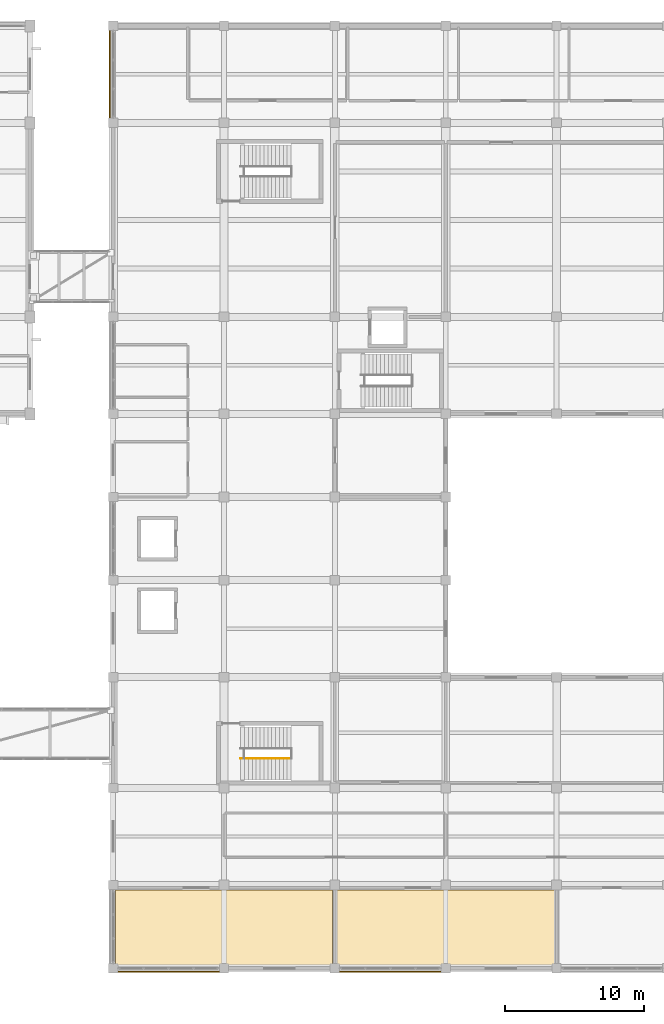
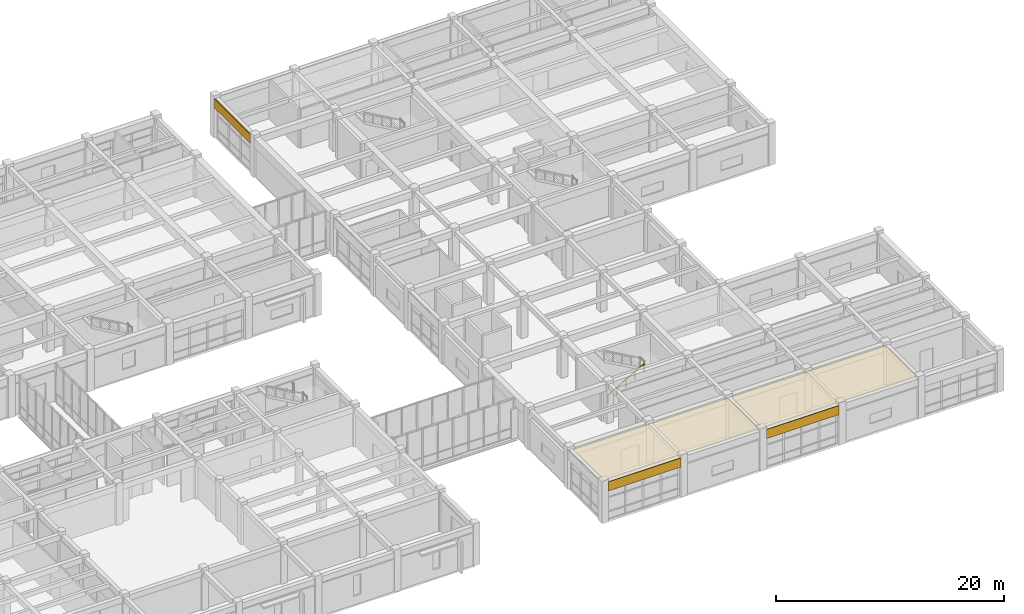
# One storey, part 70 of 72: 5 coverings, 1 railing.
"""IFC4 building model written with IfcOpenShell, lengths in metres."""

import ifcopenshell
import ifcopenshell.guid

model = None  # the IFC model being written
_history = None  # IfcOwnerHistory: only IFC2X3 demands one
_inside = {}  # id of a spatial element -> (the spatial element, [elements in it])
_under = {}  # id of a project, library or spatial element -> (it, [spatial elements below it])
_declared = {}  # id of a project -> (the project, [libraries it declares])
_typed = {}  # id of a type object -> (the type object, [elements of that type])
_made_of = {}  # id of a material, layer set ... -> (it, [elements and type objects made of it])


def new_model(schema):
    """Start an empty IFC model of exactly this schema.

    Asked for "IFC4X3", IfcOpenShell would pick the latest addendum, in which some entities
    have other attributes; the version numbers below select the first issue.
    IFC2X3 requires an IfcOwnerHistory on every rooted entity: one is made here for all.
    """
    global model, _history
    if schema == "IFC4X3":
        model = ifcopenshell.file(schema_version=(4, 3, 0, 0))
    else:
        model = ifcopenshell.file(schema=schema)
    _inside.clear()
    _under.clear()
    _declared.clear()
    _typed.clear()
    _made_of.clear()
    _history = None
    if model.schema == "IFC2X3":
        org = make("IfcOrganization", Name="unknown")
        user = make(
            "IfcPersonAndOrganization",
            ThePerson=make("IfcPerson", FamilyName="unknown"),
            TheOrganization=org,
        )
        app = make(
            "IfcApplication",
            ApplicationDeveloper=org,
            Version="unknown",
            ApplicationFullName="unknown",
            ApplicationIdentifier="unknown",
        )
        _history = make(
            "IfcOwnerHistory",
            OwningUser=user,
            OwningApplication=app,
            ChangeAction="ADDED",
            CreationDate=0,
        )
    return model


def make(cls, **values):
    """One entity of the class cls with the attributes given. An attribute that is None is left unset."""
    return model.create_entity(
        cls, **{name: value for name, value in values.items() if value is not None}
    )


def rooted(cls, **values):
    """An entity with a GlobalId (a new one), such as an element, a storey or a relation."""
    return make(cls, GlobalId=ifcopenshell.guid.new(), OwnerHistory=_history, **values)


def si_unit(unit_type, name, prefix=None):
    """IfcSIUnit, for example si_unit("LENGTHUNIT", "METRE", prefix="MILLI")."""
    return make("IfcSIUnit", UnitType=unit_type, Prefix=prefix, Name=name)


def assignment(units):
    """IfcUnitAssignment: the units of a project."""
    return None if units is None else make("IfcUnitAssignment", Units=units)


def point(xyz):
    """IfcCartesianPoint."""
    return None if xyz is None else make("IfcCartesianPoint", Coordinates=xyz)


def direction(xyz):
    """IfcDirection."""
    return None if xyz is None else make("IfcDirection", DirectionRatios=xyz)


def frame(location, z_axis=None, x_axis=None):
    """IfcAxis2Placement3D, a coordinate frame: its origin and axes. An axis left out is left unset."""
    return make(
        "IfcAxis2Placement3D",
        Location=point(location),
        Axis=direction(z_axis),
        RefDirection=direction(x_axis),
    )


def frame_2d(location, x_axis=None):
    """IfcAxis2Placement2D, a coordinate frame in the plane: its origin and x axis."""
    return make(
        "IfcAxis2Placement2D", Location=point(location), RefDirection=direction(x_axis)
    )


def origin():
    """The frame at (0, 0, 0) with its axes left unset."""
    return frame((0.0, 0.0, 0.0))


def origin_2d():
    """The frame at (0, 0) in the plane with its x axis left unset."""
    return frame_2d((0.0, 0.0))


def place(relative_to, where):
    """IfcLocalPlacement: puts the frame where relative to a parent placement (None: the world)."""
    return make(
        "IfcLocalPlacement", PlacementRelTo=relative_to, RelativePlacement=where
    )


def context(
    kind, dimensions, precision=None, world=None, true_north=None, identifier=None
):
    """IfcGeometricRepresentationContext, for example the 3D "Model" context."""
    return make(
        "IfcGeometricRepresentationContext",
        ContextIdentifier=identifier,
        ContextType=kind,
        CoordinateSpaceDimension=dimensions,
        Precision=precision,
        WorldCoordinateSystem=world,
        TrueNorth=true_north,
    )


def subcontext(parent, identifier, kind, view, scale=None):
    """IfcGeometricRepresentationSubContext, for example "Body" below "Model"."""
    return make(
        "IfcGeometricRepresentationSubContext",
        ContextIdentifier=identifier,
        ContextType=kind,
        ParentContext=parent,
        TargetScale=scale,
        TargetView=view,
    )


def project(units=None, contexts=None):
    """IfcProject with its units and contexts."""
    return rooted(
        "IfcProject",
        Name="project",
        RepresentationContexts=contexts,
        UnitsInContext=assignment(units),
    )


def spatial(cls, under=None, at=None, **own):
    """A site, building, storey or space (cls), placed at a placement, below another one or the project."""
    s = rooted(cls, ObjectPlacement=at, **own)
    if under is not None:
        _under.setdefault(under.id(), (under, []))[1].append(s)
    return s


def polyline(points):
    """IfcPolyline through the points."""
    return make("IfcPolyline", Points=[point(p) for p in points])


def profile(cls, at=None, kind="AREA", **sizes):
    """A parametric profile (cls). Its sizes go by their IFC names, for example OverallWidth=200.0."""
    return make(cls, ProfileType=kind, Position=at, **sizes)


def rectangle(**sizes):
    """IfcRectangleProfileDef."""
    return profile("IfcRectangleProfileDef", **sizes)


def circle(**sizes):
    """IfcCircleProfileDef."""
    return profile("IfcCircleProfileDef", **sizes)


def outline(outer, holes=None, kind="AREA"):
    """IfcArbitraryClosedProfileDef: a profile drawn as a closed curve; with holes, ...WithVoids."""
    if holes is None:
        return make("IfcArbitraryClosedProfileDef", ProfileType=kind, OuterCurve=outer)
    return make(
        "IfcArbitraryProfileDefWithVoids",
        ProfileType=kind,
        OuterCurve=outer,
        InnerCurves=holes,
    )


def extrude(swept, where, along, depth):
    """IfcExtrudedAreaSolid: the profile swept, set in the frame where, extruded along a direction by depth."""
    return make(
        "IfcExtrudedAreaSolid",
        SweptArea=swept,
        Position=where,
        ExtrudedDirection=direction(along),
        Depth=depth,
    )


def shape(context_of_items, identifier, shape_type, items):
    """IfcShapeRepresentation: the items that make up one representation, for example the "Body"."""
    return make(
        "IfcShapeRepresentation",
        ContextOfItems=context_of_items,
        RepresentationIdentifier=identifier,
        RepresentationType=shape_type,
        Items=items,
    )


def material(Name=None, Category=None):
    """IfcMaterial."""
    return make("IfcMaterial", Name=Name, Category=Category)


def layer(
    of_material, thickness, ventilated=None, Name=None, Category=None, Priority=None
):
    """IfcMaterialLayer: one layer of a wall or slab, of a material (None: an air gap)."""
    return make(
        "IfcMaterialLayer",
        Material=of_material,
        LayerThickness=thickness,
        IsVentilated=ventilated,
        Name=Name,
        Category=Category,
        Priority=Priority,
    )


def layer_set(layers, Name=None):
    """IfcMaterialLayerSet."""
    return make("IfcMaterialLayerSet", MaterialLayers=layers, LayerSetName=Name)


def made_of(thing, what):
    """Note that an element or type object is made of a material, layer set ...; save() writes the relation."""
    if what is not None:
        _made_of.setdefault(what.id(), (what, []))[1].append(thing)
    return thing


def type_object(cls, material=None, **own):
    """A type object (cls), such as IfcWallType, which elements share."""
    return made_of(rooted(cls, **own), material)


def element(
    cls,
    number,
    at=None,
    inside=None,
    cuts=None,
    type_object=None,
    material=None,
    context=None,
    identifier="Body",
    shape_type=None,
    held_by="IfcProductDefinitionShape",
    body=None,
    shapes=None,
    **own,
):
    """One element of the class cls, such as IfcWall. Its Tag is "e" and its number.

    at: its placement. inside: the storey or other place that contains it. cuts: it is an
    opening in that element (IfcRelVoidsElement). A single representation is given by context,
    identifier, shape_type and body (its items); several are given by shapes. held_by: the class
    of the entity that holds the representations. save() writes the other relations.
    """
    e = rooted(cls, Tag="e%d" % number, ObjectPlacement=at, **own)
    if body is not None:
        shapes = [shape(context, identifier, shape_type, body)]
    if shapes is not None:
        e.Representation = make(held_by, Representations=shapes)
    if inside is not None:
        _inside.setdefault(inside.id(), (inside, []))[1].append(e)
    if cuts is not None:
        rooted(
            "IfcRelVoidsElement", RelatingBuildingElement=cuts, RelatedOpeningElement=e
        )
    if type_object is not None:
        _typed.setdefault(type_object.id(), (type_object, []))[1].append(e)
    return made_of(e, material)


def aggregate(whole, parts):
    """IfcRelAggregates: a whole, such as a stair, and the parts it consists of."""
    return rooted("IfcRelAggregates", RelatingObject=whole, RelatedObjects=parts)


def save(model, path):
    """Write the relations noted so far, then the file.

    IfcRelAggregates (storeys below a building ...), IfcRelContainedInSpatialStructure (elements
    in a storey), IfcRelDefinesByType, IfcRelAssociatesMaterial and IfcRelDeclares: one each for
    every whole, place, type object, material and project.
    """
    for whole, parts in _under.values():
        aggregate(whole, parts)
    for where, things in _inside.values():
        rooted(
            "IfcRelContainedInSpatialStructure",
            RelatedElements=things,
            RelatingStructure=where,
        )
    for kind, things in _typed.values():
        rooted("IfcRelDefinesByType", RelatedObjects=things, RelatingType=kind)
    for what, things in _made_of.values():
        rooted("IfcRelAssociatesMaterial", RelatedObjects=things, RelatingMaterial=what)
    for by, libraries in _declared.values():
        rooted("IfcRelDeclares", RelatingContext=by, RelatedDefinitions=libraries)
    model.write(path)


model = new_model("IFC4")

# Units and contexts
model_context = context("Model", 3, precision=1e-05, world=origin(), true_north=direction((0.0, 1.0)))
body_context = subcontext(model_context, "Body", "Model", "MODEL_VIEW")
ifc_project = project(units=[si_unit("LENGTHUNIT", "METRE"), si_unit("AREAUNIT", "SQUARE_METRE"), si_unit("VOLUMEUNIT", "CUBIC_METRE"), si_unit("PLANEANGLEUNIT", "RADIAN"), si_unit("MASSUNIT", "GRAM", prefix="KILO")], contexts=[model_context])

# Site, building, storey
site_placement = place(None, origin())
site = spatial("IfcSite", under=ifc_project, at=site_placement, CompositionType="ELEMENT")
building_placement = place(site_placement, origin())
building = spatial("IfcBuilding", under=site, at=building_placement, Name="Naurynzar Civic Courthouse", CompositionType="ELEMENT")
storey_placement = place(building_placement, frame((0.0, 0.0, 9.89990234375)))
storey = spatial("IfcBuildingStorey", under=building, at=storey_placement, Name="L03", CompositionType="ELEMENT", Elevation=9.89990234375)

# Coverings
ifc_material_1 = material(Name="Acoustic Oak Timber Grade A", Category="wood")
ifc_layer_1 = layer(ifc_material_1, 0.044921875)
ifc_layer_set_1 = layer_set([ifc_layer_1], Name="CEIL-ACOUSTIC-OAK-45")
covering_type_1 = type_object("IfcCoveringType", Name="CEIL-ACOUSTIC-OAK-45", PredefinedType="CEILING", material=ifc_layer_set_1)
covering_1_placement = place(storey_placement, frame((0.0, 0.0, 4.114990234375)))
element("IfcCovering", 1, at=covering_1_placement, inside=storey, type_object=covering_type_1, Name="Acoustic suspended ceiling Criminal Jury Courtroom L03-S1", PredefinedType="CEILING", context=body_context, shape_type="SweptSolid", body=[
    extrude(outline(polyline([(130.159912109375, 4.159912109375), (130.159912109375, 9.639892578125), (145.840087890625, 9.639892578125), (145.840087890625, 4.159912109375), (130.159912109375, 4.159912109375)])), origin(), (0.0, 0.0, 1.0), 0.045166015625),
])
covering_2_placement = place(storey_placement, frame((0.0, 0.0, 4.114990234375)))
element("IfcCovering", 2, at=covering_2_placement, inside=storey, type_object=covering_type_1, Name="Acoustic suspended ceiling Criminal Trial Courtroom L03-S2", PredefinedType="CEILING", context=body_context, shape_type="SweptSolid", body=[
    extrude(outline(polyline([(146.159912109375, 4.159912109375), (146.159912109375, 9.639892578125), (161.840087890625, 9.639892578125), (161.840087890625, 4.159912109375), (146.159912109375, 4.159912109375)])), origin(), (0.0, 0.0, 1.0), 0.045166015625),
])
ifc_material_2 = material(Name="Precast concrete C40/50", Category="concrete")
ifc_layer_2 = layer(ifc_material_2, 0.080078125)
ifc_layer_set_2 = layer_set([ifc_layer_2], Name="COV-CLAD-PRECAST-80")
covering_type_2 = type_object("IfcCoveringType", Name="COV-CLAD-PRECAST-80", PredefinedType="CLADDING", material=ifc_layer_set_2)
covering_3_placement = place(storey_placement, frame((129.7451171875, 68.5, 3.22998046875), z_axis=(0.0, 0.0, 1.0), x_axis=(0.0, 1.0, 0.0)))
element("IfcCovering", 3, at=covering_3_placement, inside=storey, type_object=covering_type_2, Name="V5 precast spandrel cladding 93", PredefinedType="CLADDING", context=body_context, shape_type="SweptSolid", body=[
    extrude(rectangle(XDim=6.324951171875, YDim=0.080078125, at=origin_2d()), origin(), (0.0, 0.0, 1.0), 0.969970703125),
])
for number, where, z_axis, x_axis, name in (
    (4, (150.0, 3.7451171875, 3.22998046875), (0.0, 0.0, 1.0), (-1.0, 0.0, 0.0), "V5 precast spandrel cladding 95"),
    (5, (134.0, 3.7451171875, 3.22998046875), (0.0, 0.0, 1.0), (-1.0, 0.0, 0.0), "V5 precast spandrel cladding 96"),
):
    element("IfcCovering", number, at=place(storey_placement, frame(where, z_axis=z_axis, x_axis=x_axis)), inside=storey, type_object=covering_type_2, Name=name, PredefinedType="CLADDING", context=body_context, shape_type="SweptSolid", body=[
        extrude(rectangle(XDim=7.324951171875, YDim=0.080078125, at=origin_2d()), origin(), (0.0, 0.0, 1.0), 0.969970703125),
    ])

# Railing
ifc_material_3 = material(Name="Brushed Stainless Steel 304", Category="steel")
railing_type = type_object("IfcRailingType", Name="RAIL-HR-900", PredefinedType="HANDRAIL", material=ifc_material_3)
railing_placement = place(storey_placement, frame((139.199951171875, 19.139892578125, 0.160888671875)))
element("IfcRailing", 6, at=railing_placement, inside=storey, type_object=railing_type, Name="Stair ST-V5A-L03 flight 1 handrail", PredefinedType="HANDRAIL", context=body_context, shape_type="SweptSolid", body=[
    extrude(circle(Radius=0.02392578125, at=origin_2d()), frame((0.0, 0.0, 0.8759765625), z_axis=(0.867314486057, 0.0, 0.497760567216), x_axis=(0.0, 1.0, 0.0)), (0.0, 0.0, 1.0), 4.197021484375),
    extrude(circle(Radius=0.02099609375, at=origin_2d()), origin(), (0.0, 0.0, 1.0), 0.851806640625),
    extrude(circle(Radius=0.02099609375, at=origin_2d()), frame((0.91015625, 0.0, 0.522216796875)), (0.0, 0.0, 1.0), 0.851806640625),
    extrude(circle(Radius=0.02099609375, at=origin_2d()), frame((1.820068359375, 0.0, 1.04443359375)), (0.0, 0.0, 1.0), 0.851806640625),
    extrude(circle(Radius=0.02099609375, at=origin_2d()), frame((2.72998046875, 0.0, 1.56689453125)), (0.0, 0.0, 1.0), 0.851806640625),
    extrude(circle(Radius=0.02099609375, at=origin_2d()), frame((3.64013671875, 0.0, 2.089111328125)), (0.0, 0.0, 1.0), 0.851806640625),
])

save(model, "model.ifc")
